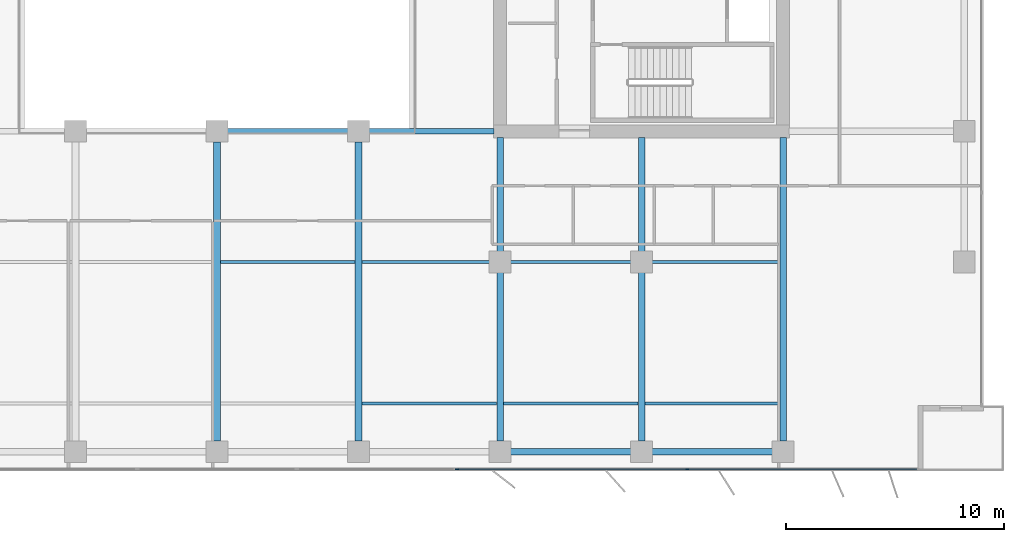
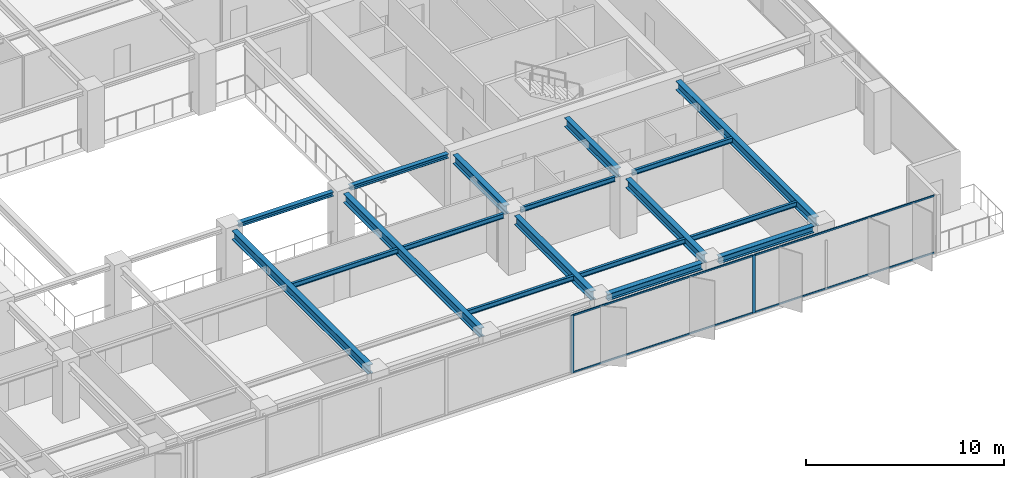
# One storey, part 6 of 22: 18 beams, 6 members, 1 element without a shape of its own.
"""IFC4 building model written with IfcOpenShell, lengths in metres."""

from ifc_helpers import new_model, si_unit, direction, frame, origin, origin_2d, place, context, subcontext, project, spatial, rectangle, i_section, extrude, material, layer, layer_set, material_profile, profile_set, type_object, element, aggregate, save


model = new_model("IFC4")

# Units and contexts
model_context = context("Model", 3, precision=1e-05, world=origin(), true_north=direction((0.0, 1.0)))
body_context = subcontext(model_context, "Body", "Model", "MODEL_VIEW")
ifc_project = project(units=[si_unit("LENGTHUNIT", "METRE"), si_unit("AREAUNIT", "SQUARE_METRE"), si_unit("VOLUMEUNIT", "CUBIC_METRE"), si_unit("PLANEANGLEUNIT", "RADIAN"), si_unit("MASSUNIT", "GRAM", prefix="KILO")], contexts=[model_context])

# Site, building, storey
site_placement = place(None, origin())
site = spatial("IfcSite", under=ifc_project, at=site_placement, CompositionType="ELEMENT")
building_placement = place(site_placement, origin())
building = spatial("IfcBuilding", under=site, at=building_placement, Name="Putna Gate Headquarters", CompositionType="ELEMENT")
storey_placement = place(building_placement, frame((0.0, 0.0, 178.39990234375)))
storey = spatial("IfcBuildingStorey", under=building, at=storey_placement, Name="L44", CompositionType="ELEMENT", Elevation=178.39990234375)

# Beams
ifc_material_1 = material(Name="Steel S355J2", Category="steel")
ifc_material_profile_1 = material_profile(ifc_material_1, i_section(OverallWidth=0.260009765625, OverallDepth=0.260009765625, WebThickness=0.010009765625, FlangeThickness=0.017578125, at=origin_2d()), Name="Steel S355J2")
ifc_profile_set_1 = profile_set([ifc_material_profile_1], Name="Steel S355J2")
beam_type_1 = type_object("IfcBeamType", Name="BM-ATRIUM-HEB260", PredefinedType="BEAM", material=ifc_profile_set_1)
beam_1_placement = place(storey_placement, frame((39.488037109375, 19.0, 3.442138671875), z_axis=(1.0, 0.0, 0.0), x_axis=(0.0, 1.0, 0.0)))
element("IfcBeam", 1, at=beam_1_placement, inside=storey, type_object=beam_type_1, Name="L44 Atrium Edge Beam AS3", PredefinedType="BEAM", context=body_context, shape_type="SweptSolid", body=[
    extrude(i_section(OverallWidth=0.260009765625, OverallDepth=0.260009765625, WebThickness=0.010009765625, FlangeThickness=0.017578125, at=origin_2d()), origin(), (0.0, 0.0, 1.0), 5.52392578125),
])
beam_2_placement = place(storey_placement, frame((45.988037109375, 19.0, 3.442138671875), z_axis=(1.0, 0.0, 0.0), x_axis=(0.0, 1.0, 0.0)))
element("IfcBeam", 2, at=beam_2_placement, inside=storey, type_object=beam_type_1, Name="L44 Atrium Edge Beam AS4", PredefinedType="BEAM", context=body_context, shape_type="SweptSolid", body=[
    extrude(i_section(OverallWidth=0.260009765625, OverallDepth=0.260009765625, WebThickness=0.010009765625, FlangeThickness=0.017578125, at=origin_2d()), origin(), (0.0, 0.0, 1.0), 5.72705078125),
])
ifc_material_profile_2 = material_profile(ifc_material_1, i_section(OverallWidth=0.300048828125, OverallDepth=0.550048828125, WebThickness=0.014892578125, FlangeThickness=0.029052734375, at=origin_2d()), Name="Steel S355J2")
ifc_profile_set_2 = profile_set([ifc_material_profile_2], Name="Steel S355J2")
beam_type_2 = type_object("IfcBeamType", Name="BM-GIRD-Z3-HEB550", PredefinedType="USERDEFINED", material=ifc_profile_set_2)
for number, where, z_axis, x_axis, name in (
    (3, (39.0, 4.76806640625, 3.297119140625), (0.0, 1.0, 0.0), (-1.0, 0.0, 0.0), "L44 South Primary Girder X39"),
    (4, (45.5, 4.76806640625, 3.297119140625), (0.0, 1.0, 0.0), (-1.0, 0.0, 0.0), "L44 South Primary Girder X45"),
):
    element("IfcBeam", number, at=place(storey_placement, frame(where, z_axis=z_axis, x_axis=x_axis)), inside=storey, type_object=beam_type_2, Name=name, ObjectType="GIRDER", PredefinedType="USERDEFINED", context=body_context, shape_type="SweptSolid", body=[
        extrude(i_section(OverallWidth=0.300048828125, OverallDepth=0.550048828125, WebThickness=0.014892578125, FlangeThickness=0.029052734375, at=origin_2d()), origin(), (0.0, 0.0, 1.0), 13.743896484375),
    ])
beam_3_placement = place(storey_placement, frame((52.0, 4.76806640625, 3.297119140625), z_axis=(0.0, 1.0, 0.0), x_axis=(-1.0, 0.0, 0.0)))
element("IfcBeam", 5, at=beam_3_placement, inside=storey, type_object=beam_type_2, Name="L44 South Primary Girder X52-1", ObjectType="GIRDER", PredefinedType="USERDEFINED", context=body_context, shape_type="SweptSolid", body=[
    extrude(i_section(OverallWidth=0.300048828125, OverallDepth=0.550048828125, WebThickness=0.014892578125, FlangeThickness=0.029052734375, at=origin_2d()), origin(), (0.0, 0.0, 1.0), 7.743896484375),
])
beam_4_placement = place(storey_placement, frame((52.0, 13.488037109375, 3.297119140625), z_axis=(0.0, 1.0, 0.0), x_axis=(-1.0, 0.0, 0.0)))
element("IfcBeam", 6, at=beam_4_placement, inside=storey, type_object=beam_type_2, Name="L44 South Primary Girder X52-2", ObjectType="GIRDER", PredefinedType="USERDEFINED", context=body_context, shape_type="SweptSolid", body=[
    extrude(i_section(OverallWidth=0.300048828125, OverallDepth=0.550048828125, WebThickness=0.014892578125, FlangeThickness=0.029052734375, at=origin_2d()), origin(), (0.0, 0.0, 1.0), 5.22705078125),
])
beam_5_placement = place(storey_placement, frame((58.5, 4.76806640625, 3.297119140625), z_axis=(0.0, 1.0, 0.0), x_axis=(-1.0, 0.0, 0.0)))
element("IfcBeam", 7, at=beam_5_placement, inside=storey, type_object=beam_type_2, Name="L44 South Primary Girder X58-1", ObjectType="GIRDER", PredefinedType="USERDEFINED", context=body_context, shape_type="SweptSolid", body=[
    extrude(i_section(OverallWidth=0.300048828125, OverallDepth=0.550048828125, WebThickness=0.014892578125, FlangeThickness=0.029052734375, at=origin_2d()), origin(), (0.0, 0.0, 1.0), 7.743896484375),
])
beam_6_placement = place(storey_placement, frame((58.5, 13.488037109375, 3.297119140625), z_axis=(0.0, 1.0, 0.0), x_axis=(-1.0, 0.0, 0.0)))
element("IfcBeam", 8, at=beam_6_placement, inside=storey, type_object=beam_type_2, Name="L44 South Primary Girder X58-2", ObjectType="GIRDER", PredefinedType="USERDEFINED", context=body_context, shape_type="SweptSolid", body=[
    extrude(i_section(OverallWidth=0.300048828125, OverallDepth=0.550048828125, WebThickness=0.014892578125, FlangeThickness=0.029052734375, at=origin_2d()), origin(), (0.0, 0.0, 1.0), 5.22705078125),
])
beam_7_placement = place(storey_placement, frame((65.0, 4.76806640625, 3.297119140625), z_axis=(0.0, 1.0, 0.0), x_axis=(-1.0, 0.0, 0.0)))
element("IfcBeam", 9, at=beam_7_placement, inside=storey, type_object=beam_type_2, Name="L44 South Primary Girder X65", ObjectType="GIRDER", PredefinedType="USERDEFINED", context=body_context, shape_type="SweptSolid", body=[
    extrude(i_section(OverallWidth=0.300048828125, OverallDepth=0.550048828125, WebThickness=0.014892578125, FlangeThickness=0.029052734375, at=origin_2d()), origin(), (0.0, 0.0, 1.0), 13.947021484375),
])
ifc_material_profile_3 = material_profile(ifc_material_1, i_section(OverallWidth=0.14990234375, OverallDepth=0.300048828125, WebThickness=0.007080078125, FlangeThickness=0.0107421875, at=origin_2d()), Name="Steel S355J2")
ifc_profile_set_3 = profile_set([ifc_material_profile_3], Name="Steel S355J2")
beam_type_3 = type_object("IfcBeamType", Name="BM-SEC-Z3-IPE300", PredefinedType="JOIST", material=ifc_profile_set_3)
for number, where, z_axis, x_axis, name in (
    (10, (39.154052734375, 13.0, 3.422119140625), (1.0, 0.0, 0.0), (0.0, 1.0, 0.0), "L44 South Secondary Beam 5"),
    (11, (45.654052734375, 6.5, 3.422119140625), (1.0, 0.0, 0.0), (0.0, 1.0, 0.0), "L44 South Secondary Beam 6"),
):
    element("IfcBeam", number, at=place(storey_placement, frame(where, z_axis=z_axis, x_axis=x_axis)), inside=storey, type_object=beam_type_3, Name=name, PredefinedType="JOIST", context=body_context, shape_type="SweptSolid", body=[
        extrude(i_section(OverallWidth=0.14990234375, OverallDepth=0.300048828125, WebThickness=0.007080078125, FlangeThickness=0.0107421875, at=origin_2d()), origin(), (0.0, 0.0, 1.0), 6.19189453125),
    ])
beam_8_placement = place(storey_placement, frame((45.654052734375, 13.0, 3.422119140625), z_axis=(1.0, 0.0, 0.0), x_axis=(0.0, 1.0, 0.0)))
element("IfcBeam", 12, at=beam_8_placement, inside=storey, type_object=beam_type_3, Name="L44 South Secondary Beam 6", PredefinedType="JOIST", context=body_context, shape_type="SweptSolid", body=[
    extrude(i_section(OverallWidth=0.14990234375, OverallDepth=0.300048828125, WebThickness=0.007080078125, FlangeThickness=0.0107421875, at=origin_2d()), origin(), (0.0, 0.0, 1.0), 5.85791015625),
])
beam_9_placement = place(storey_placement, frame((52.154052734375, 6.5, 3.422119140625), z_axis=(1.0, 0.0, 0.0), x_axis=(0.0, 1.0, 0.0)))
element("IfcBeam", 13, at=beam_9_placement, inside=storey, type_object=beam_type_3, Name="L44 South Secondary Beam 7", PredefinedType="JOIST", context=body_context, shape_type="SweptSolid", body=[
    extrude(i_section(OverallWidth=0.14990234375, OverallDepth=0.300048828125, WebThickness=0.007080078125, FlangeThickness=0.0107421875, at=origin_2d()), origin(), (0.0, 0.0, 1.0), 6.19189453125),
])
beam_10_placement = place(storey_placement, frame((52.488037109375, 13.0, 3.422119140625), z_axis=(1.0, 0.0, 0.0), x_axis=(0.0, 1.0, 0.0)))
element("IfcBeam", 14, at=beam_10_placement, inside=storey, type_object=beam_type_3, Name="L44 South Secondary Beam 7", PredefinedType="JOIST", context=body_context, shape_type="SweptSolid", body=[
    extrude(i_section(OverallWidth=0.14990234375, OverallDepth=0.300048828125, WebThickness=0.007080078125, FlangeThickness=0.0107421875, at=origin_2d()), origin(), (0.0, 0.0, 1.0), 5.52392578125),
])
beam_11_placement = place(storey_placement, frame((58.654052734375, 6.5, 3.422119140625), z_axis=(1.0, 0.0, 0.0), x_axis=(0.0, 1.0, 0.0)))
element("IfcBeam", 15, at=beam_11_placement, inside=storey, type_object=beam_type_3, Name="L44 South Secondary Beam 8", PredefinedType="JOIST", context=body_context, shape_type="SweptSolid", body=[
    extrude(i_section(OverallWidth=0.14990234375, OverallDepth=0.300048828125, WebThickness=0.007080078125, FlangeThickness=0.0107421875, at=origin_2d()), origin(), (0.0, 0.0, 1.0), 6.19189453125),
])
beam_12_placement = place(storey_placement, frame((58.988037109375, 13.0, 3.422119140625), z_axis=(1.0, 0.0, 0.0), x_axis=(0.0, 1.0, 0.0)))
element("IfcBeam", 16, at=beam_12_placement, inside=storey, type_object=beam_type_3, Name="L44 South Secondary Beam 8", PredefinedType="JOIST", context=body_context, shape_type="SweptSolid", body=[
    extrude(i_section(OverallWidth=0.14990234375, OverallDepth=0.300048828125, WebThickness=0.007080078125, FlangeThickness=0.0107421875, at=origin_2d()), origin(), (0.0, 0.0, 1.0), 5.85791015625),
])
ifc_material_profile_4 = material_profile(ifc_material_1, i_section(OverallWidth=0.300048828125, OverallDepth=0.39990234375, WebThickness=0.013427734375, FlangeThickness=0.02392578125, at=origin_2d()), Name="Steel S355J2")
ifc_profile_set_4 = profile_set([ifc_material_profile_4], Name="Steel S355J2")
beam_type_4 = type_object("IfcBeamType", Name="BM-SPAN-Z3-HEB400", PredefinedType="SPANDREL", material=ifc_profile_set_4)
for number, where, z_axis, x_axis, name in (
    (17, (52.488037109375, 4.280029296875, 3.3720703125), (1.0, 0.0, 0.0), (0.0, 1.0, 0.0), "L44 S Perimeter Spandrel 7"),
    (18, (58.988037109375, 4.280029296875, 3.3720703125), (1.0, 0.0, 0.0), (0.0, 1.0, 0.0), "L44 S Perimeter Spandrel 8"),
):
    element("IfcBeam", number, at=place(storey_placement, frame(where, z_axis=z_axis, x_axis=x_axis)), inside=storey, type_object=beam_type_4, Name=name, PredefinedType="SPANDREL", context=body_context, shape_type="SweptSolid", body=[
        extrude(i_section(OverallWidth=0.300048828125, OverallDepth=0.39990234375, WebThickness=0.013427734375, FlangeThickness=0.02392578125, at=origin_2d()), origin(), (0.0, 0.0, 1.0), 5.52392578125),
    ])

# Curtain wall, members
ifc_material_2 = material(Name="Anodised bronze aluminium curtain wall", Category="aluminium")
ifc_layer = layer(ifc_material_2, 0.159912109375)
ifc_layer_set = layer_set([ifc_layer], Name="Anodised bronze aluminium curtain wall")
curtain_wall_type = type_object("IfcCurtainWallType", Name="CW-SYS-Z3", PredefinedType="USERDEFINED", material=ifc_layer_set)
curtain_wall_placement = place(storey_placement, origin())
curtain_wall = element("IfcCurtainWall", 19, at=curtain_wall_placement, inside=storey, type_object=curtain_wall_type, Name="L44 South East Curtain Wall", ObjectType="STICK CURTAIN WALL", PredefinedType="USERDEFINED")
ifc_material_3 = material(Name="Anodised bronze aluminium EN AW-6060", Category="aluminium")
ifc_material_profile_5 = material_profile(ifc_material_3, rectangle(XDim=0.06494140625, YDim=0.159912109375, at=origin_2d()), Name="Anodised bronze aluminium EN AW-6060")
ifc_profile_set_5 = profile_set([ifc_material_profile_5], Name="Anodised bronze aluminium EN AW-6060")
member_type_1 = type_object("IfcMemberType", Name="MULL-CWM-3", PredefinedType="MULLION", material=ifc_profile_set_5)
member_1_placement = place(storey_placement, frame((50.032470703125, 3.47998046875, 0.0), z_axis=(0.0, 0.0, 1.0), x_axis=(0.0, 1.0, 0.0)))
member_1 = element("IfcMember", 20, at=member_1_placement, type_object=member_type_1, Name="CWS-3 mullion 1", PredefinedType="MULLION", context=body_context, shape_type="SweptSolid", body=[
    extrude(rectangle(XDim=0.06494140625, YDim=0.159912109375, at=origin_2d()), origin(), (0.0, 0.0, 1.0), 3.572021484375),
])
member_2_placement = place(storey_placement, frame((60.60009765625, 3.47998046875, 0.0), z_axis=(0.0, 0.0, 1.0), x_axis=(0.0, 1.0, 0.0)))
member_2 = element("IfcMember", 21, at=member_2_placement, type_object=member_type_1, Name="CWS-3 mullion 2", PredefinedType="MULLION", context=body_context, shape_type="SweptSolid", body=[
    extrude(rectangle(XDim=0.06494140625, YDim=0.159912109375, at=origin_2d()), origin(), (0.0, 0.0, 1.0), 3.572021484375),
])
ifc_material_profile_6 = material_profile(ifc_material_3, rectangle(XDim=0.06005859375, YDim=0.10009765625, at=origin_2d()), Name="Anodised bronze aluminium EN AW-6060")
ifc_profile_set_6 = profile_set([ifc_material_profile_6], Name="Anodised bronze aluminium EN AW-6060")
member_type_2 = type_object("IfcMemberType", Name="TRAN-CWT-3", PredefinedType="USERDEFINED", material=ifc_profile_set_6)
member_3_placement = place(storey_placement, frame((50.06494140625, 3.47998046875, 0.030029296875), z_axis=(1.0, 0.0, 0.0), x_axis=(0.0, 1.0, 0.0)))
member_3 = element("IfcMember", 22, at=member_3_placement, type_object=member_type_2, Name="CWS-3 transom 1.1", ObjectType="TRANSOM", PredefinedType="USERDEFINED", context=body_context, shape_type="SweptSolid", body=[
    extrude(rectangle(XDim=0.06005859375, YDim=0.10009765625, at=origin_2d()), origin(), (0.0, 0.0, 1.0), 10.50244140625),
])
member_4_placement = place(storey_placement, frame((50.06494140625, 3.47998046875, 3.5419921875), z_axis=(1.0, 0.0, 0.0), x_axis=(0.0, 1.0, 0.0)))
member_4 = element("IfcMember", 23, at=member_4_placement, type_object=member_type_2, Name="CWS-3 transom 1.2", ObjectType="TRANSOM", PredefinedType="USERDEFINED", context=body_context, shape_type="SweptSolid", body=[
    extrude(rectangle(XDim=0.06005859375, YDim=0.10009765625, at=origin_2d()), origin(), (0.0, 0.0, 1.0), 10.50244140625),
])
member_5_placement = place(storey_placement, frame((60.632568359375, 3.47998046875, 0.030029296875), z_axis=(1.0, 0.0, 0.0), x_axis=(0.0, 1.0, 0.0)))
member_5 = element("IfcMember", 24, at=member_5_placement, type_object=member_type_2, Name="CWS-3 transom 2.1", ObjectType="TRANSOM", PredefinedType="USERDEFINED", context=body_context, shape_type="SweptSolid", body=[
    extrude(rectangle(XDim=0.06005859375, YDim=0.10009765625, at=origin_2d()), origin(), (0.0, 0.0, 1.0), 10.50244140625),
])
member_6_placement = place(storey_placement, frame((60.632568359375, 3.47998046875, 3.5419921875), z_axis=(1.0, 0.0, 0.0), x_axis=(0.0, 1.0, 0.0)))
member_6 = element("IfcMember", 25, at=member_6_placement, type_object=member_type_2, Name="CWS-3 transom 2.2", ObjectType="TRANSOM", PredefinedType="USERDEFINED", context=body_context, shape_type="SweptSolid", body=[
    extrude(rectangle(XDim=0.06005859375, YDim=0.10009765625, at=origin_2d()), origin(), (0.0, 0.0, 1.0), 10.50244140625),
])
aggregate(curtain_wall, [member_1, member_2, member_3, member_4, member_5, member_6])

save(model, "model.ifc")
